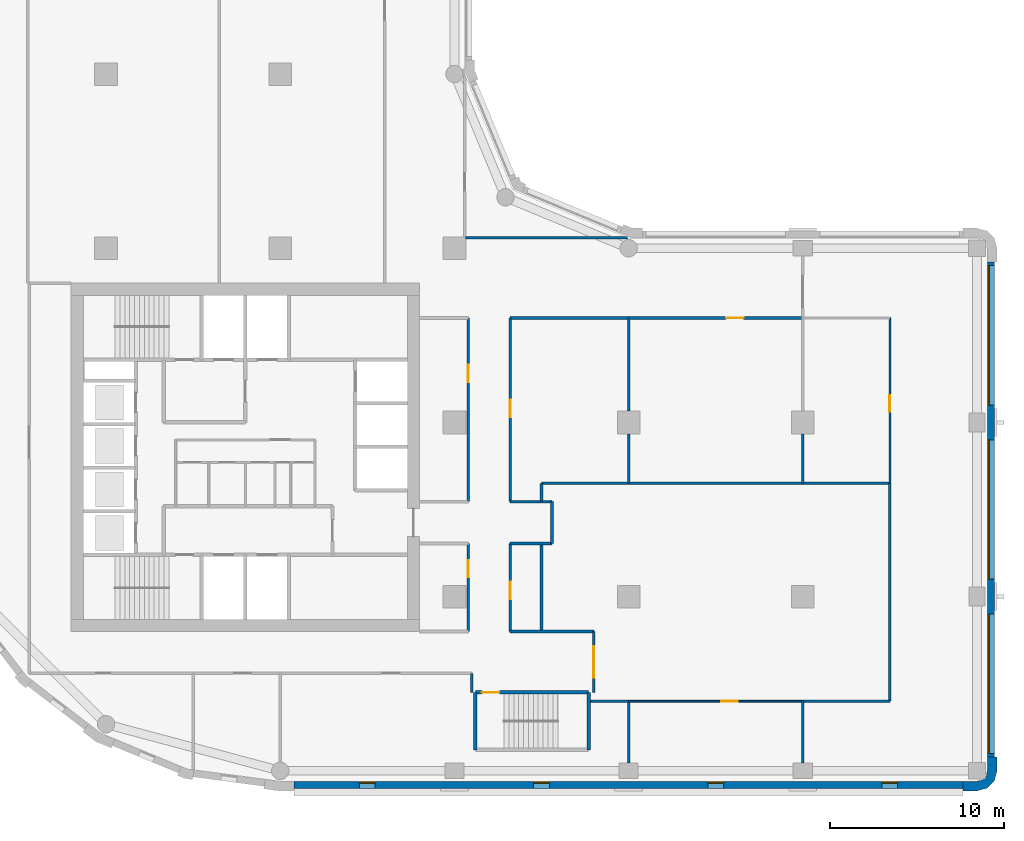
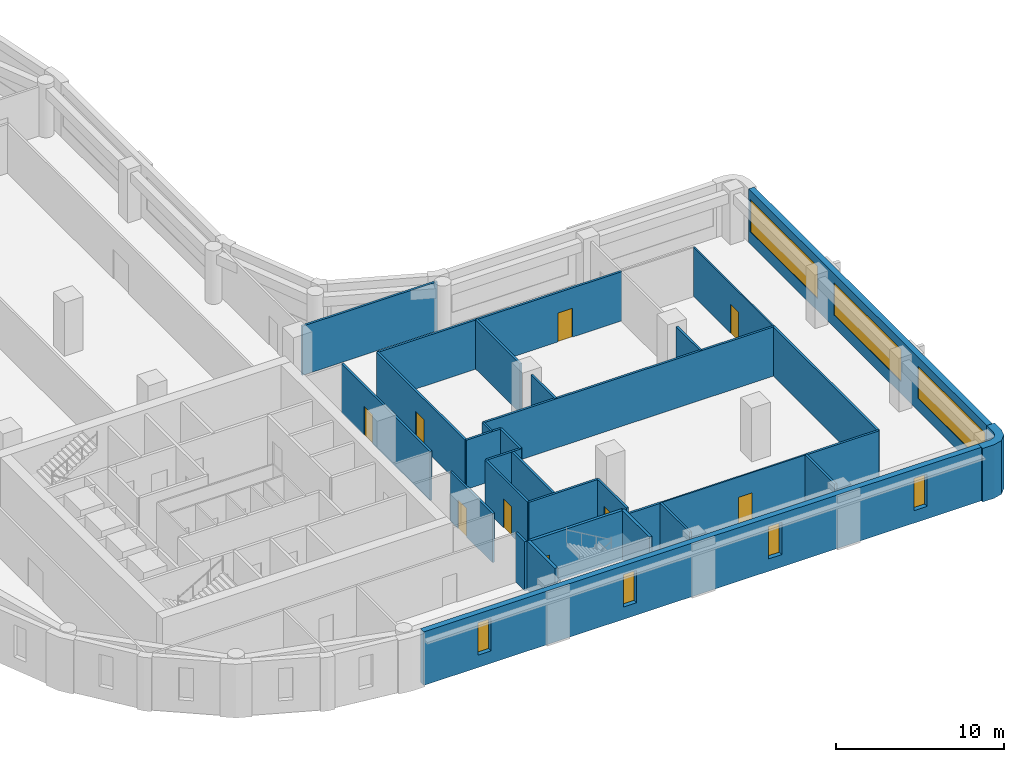
# One storey, part 4 of 9: 31 walls, 9 doors, 7 windows, 16 openings.
"""IFC4 building model written with IfcOpenShell, lengths in metres."""

import ifcopenshell
import ifcopenshell.guid

model = None  # the IFC model being written
_history = None  # IfcOwnerHistory: only IFC2X3 demands one
_inside = {}  # id of a spatial element -> (the spatial element, [elements in it])
_under = {}  # id of a project, library or spatial element -> (it, [spatial elements below it])
_declared = {}  # id of a project -> (the project, [libraries it declares])
_typed = {}  # id of a type object -> (the type object, [elements of that type])
_made_of = {}  # id of a material, layer set ... -> (it, [elements and type objects made of it])


def new_model(schema):
    """Start an empty IFC model of exactly this schema.

    Asked for "IFC4X3", IfcOpenShell would pick the latest addendum, in which some entities
    have other attributes; the version numbers below select the first issue.
    IFC2X3 requires an IfcOwnerHistory on every rooted entity: one is made here for all.
    """
    global model, _history
    if schema == "IFC4X3":
        model = ifcopenshell.file(schema_version=(4, 3, 0, 0))
    else:
        model = ifcopenshell.file(schema=schema)
    _inside.clear()
    _under.clear()
    _declared.clear()
    _typed.clear()
    _made_of.clear()
    _history = None
    if model.schema == "IFC2X3":
        org = make("IfcOrganization", Name="unknown")
        user = make(
            "IfcPersonAndOrganization",
            ThePerson=make("IfcPerson", FamilyName="unknown"),
            TheOrganization=org,
        )
        app = make(
            "IfcApplication",
            ApplicationDeveloper=org,
            Version="unknown",
            ApplicationFullName="unknown",
            ApplicationIdentifier="unknown",
        )
        _history = make(
            "IfcOwnerHistory",
            OwningUser=user,
            OwningApplication=app,
            ChangeAction="ADDED",
            CreationDate=0,
        )
    return model


def make(cls, **values):
    """One entity of the class cls with the attributes given. An attribute that is None is left unset."""
    return model.create_entity(
        cls, **{name: value for name, value in values.items() if value is not None}
    )


def rooted(cls, **values):
    """An entity with a GlobalId (a new one), such as an element, a storey or a relation."""
    return make(cls, GlobalId=ifcopenshell.guid.new(), OwnerHistory=_history, **values)


def si_unit(unit_type, name, prefix=None):
    """IfcSIUnit, for example si_unit("LENGTHUNIT", "METRE", prefix="MILLI")."""
    return make("IfcSIUnit", UnitType=unit_type, Prefix=prefix, Name=name)


def assignment(units):
    """IfcUnitAssignment: the units of a project."""
    return None if units is None else make("IfcUnitAssignment", Units=units)


def point(xyz):
    """IfcCartesianPoint."""
    return None if xyz is None else make("IfcCartesianPoint", Coordinates=xyz)


def direction(xyz):
    """IfcDirection."""
    return None if xyz is None else make("IfcDirection", DirectionRatios=xyz)


def frame(location, z_axis=None, x_axis=None):
    """IfcAxis2Placement3D, a coordinate frame: its origin and axes. An axis left out is left unset."""
    return make(
        "IfcAxis2Placement3D",
        Location=point(location),
        Axis=direction(z_axis),
        RefDirection=direction(x_axis),
    )


def frame_2d(location, x_axis=None):
    """IfcAxis2Placement2D, a coordinate frame in the plane: its origin and x axis."""
    return make(
        "IfcAxis2Placement2D", Location=point(location), RefDirection=direction(x_axis)
    )


def origin():
    """The frame at (0, 0, 0) with its axes left unset."""
    return frame((0.0, 0.0, 0.0))


def place(relative_to, where):
    """IfcLocalPlacement: puts the frame where relative to a parent placement (None: the world)."""
    return make(
        "IfcLocalPlacement", PlacementRelTo=relative_to, RelativePlacement=where
    )


def context(
    kind, dimensions, precision=None, world=None, true_north=None, identifier=None
):
    """IfcGeometricRepresentationContext, for example the 3D "Model" context."""
    return make(
        "IfcGeometricRepresentationContext",
        ContextIdentifier=identifier,
        ContextType=kind,
        CoordinateSpaceDimension=dimensions,
        Precision=precision,
        WorldCoordinateSystem=world,
        TrueNorth=true_north,
    )


def subcontext(parent, identifier, kind, view, scale=None):
    """IfcGeometricRepresentationSubContext, for example "Body" below "Model"."""
    return make(
        "IfcGeometricRepresentationSubContext",
        ContextIdentifier=identifier,
        ContextType=kind,
        ParentContext=parent,
        TargetScale=scale,
        TargetView=view,
    )


def project(units=None, contexts=None):
    """IfcProject with its units and contexts."""
    return rooted(
        "IfcProject",
        Name="project",
        RepresentationContexts=contexts,
        UnitsInContext=assignment(units),
    )


def spatial(cls, under=None, at=None, **own):
    """A site, building, storey or space (cls), placed at a placement, below another one or the project."""
    s = rooted(cls, ObjectPlacement=at, **own)
    if under is not None:
        _under.setdefault(under.id(), (under, []))[1].append(s)
    return s


def polyline(points):
    """IfcPolyline through the points."""
    return make("IfcPolyline", Points=[point(p) for p in points])


def profile(cls, at=None, kind="AREA", **sizes):
    """A parametric profile (cls). Its sizes go by their IFC names, for example OverallWidth=200.0."""
    return make(cls, ProfileType=kind, Position=at, **sizes)


def rectangle(**sizes):
    """IfcRectangleProfileDef."""
    return profile("IfcRectangleProfileDef", **sizes)


def outline(outer, holes=None, kind="AREA"):
    """IfcArbitraryClosedProfileDef: a profile drawn as a closed curve; with holes, ...WithVoids."""
    if holes is None:
        return make("IfcArbitraryClosedProfileDef", ProfileType=kind, OuterCurve=outer)
    return make(
        "IfcArbitraryProfileDefWithVoids",
        ProfileType=kind,
        OuterCurve=outer,
        InnerCurves=holes,
    )


def extrude(swept, where, along, depth):
    """IfcExtrudedAreaSolid: the profile swept, set in the frame where, extruded along a direction by depth."""
    return make(
        "IfcExtrudedAreaSolid",
        SweptArea=swept,
        Position=where,
        ExtrudedDirection=direction(along),
        Depth=depth,
    )


def shape(context_of_items, identifier, shape_type, items):
    """IfcShapeRepresentation: the items that make up one representation, for example the "Body"."""
    return make(
        "IfcShapeRepresentation",
        ContextOfItems=context_of_items,
        RepresentationIdentifier=identifier,
        RepresentationType=shape_type,
        Items=items,
    )


def material(Name=None, Category=None):
    """IfcMaterial."""
    return make("IfcMaterial", Name=Name, Category=Category)


def layer(
    of_material, thickness, ventilated=None, Name=None, Category=None, Priority=None
):
    """IfcMaterialLayer: one layer of a wall or slab, of a material (None: an air gap)."""
    return make(
        "IfcMaterialLayer",
        Material=of_material,
        LayerThickness=thickness,
        IsVentilated=ventilated,
        Name=Name,
        Category=Category,
        Priority=Priority,
    )


def layer_set(layers, Name=None):
    """IfcMaterialLayerSet."""
    return make("IfcMaterialLayerSet", MaterialLayers=layers, LayerSetName=Name)


def made_of(thing, what):
    """Note that an element or type object is made of a material, layer set ...; save() writes the relation."""
    if what is not None:
        _made_of.setdefault(what.id(), (what, []))[1].append(thing)
    return thing


def type_object(cls, material=None, **own):
    """A type object (cls), such as IfcWallType, which elements share."""
    return made_of(rooted(cls, **own), material)


def element(
    cls,
    number,
    at=None,
    inside=None,
    cuts=None,
    type_object=None,
    material=None,
    context=None,
    identifier="Body",
    shape_type=None,
    held_by="IfcProductDefinitionShape",
    body=None,
    shapes=None,
    **own,
):
    """One element of the class cls, such as IfcWall. Its Tag is "e" and its number.

    at: its placement. inside: the storey or other place that contains it. cuts: it is an
    opening in that element (IfcRelVoidsElement). A single representation is given by context,
    identifier, shape_type and body (its items); several are given by shapes. held_by: the class
    of the entity that holds the representations. save() writes the other relations.
    """
    e = rooted(cls, Tag="e%d" % number, ObjectPlacement=at, **own)
    if body is not None:
        shapes = [shape(context, identifier, shape_type, body)]
    if shapes is not None:
        e.Representation = make(held_by, Representations=shapes)
    if inside is not None:
        _inside.setdefault(inside.id(), (inside, []))[1].append(e)
    if cuts is not None:
        rooted(
            "IfcRelVoidsElement", RelatingBuildingElement=cuts, RelatedOpeningElement=e
        )
    if type_object is not None:
        _typed.setdefault(type_object.id(), (type_object, []))[1].append(e)
    return made_of(e, material)


def fill(opening, filler):
    """IfcRelFillsElement: the door or window that sits in an opening."""
    return rooted(
        "IfcRelFillsElement",
        RelatingOpeningElement=opening,
        RelatedBuildingElement=filler,
    )


def aggregate(whole, parts):
    """IfcRelAggregates: a whole, such as a stair, and the parts it consists of."""
    return rooted("IfcRelAggregates", RelatingObject=whole, RelatedObjects=parts)


def save(model, path):
    """Write the relations noted so far, then the file.

    IfcRelAggregates (storeys below a building ...), IfcRelContainedInSpatialStructure (elements
    in a storey), IfcRelDefinesByType, IfcRelAssociatesMaterial and IfcRelDeclares: one each for
    every whole, place, type object, material and project.
    """
    for whole, parts in _under.values():
        aggregate(whole, parts)
    for where, things in _inside.values():
        rooted(
            "IfcRelContainedInSpatialStructure",
            RelatedElements=things,
            RelatingStructure=where,
        )
    for kind, things in _typed.values():
        rooted("IfcRelDefinesByType", RelatedObjects=things, RelatingType=kind)
    for what, things in _made_of.values():
        rooted("IfcRelAssociatesMaterial", RelatedObjects=things, RelatingMaterial=what)
    for by, libraries in _declared.values():
        rooted("IfcRelDeclares", RelatingContext=by, RelatedDefinitions=libraries)
    model.write(path)


model = new_model("IFC4")

# Units and contexts
model_context = context("Model", 3, precision=1e-05, world=origin(), true_north=direction((0.0, 1.0)))
body_context = subcontext(model_context, "Body", "Model", "MODEL_VIEW")
ifc_project = project(units=[si_unit("LENGTHUNIT", "METRE"), si_unit("AREAUNIT", "SQUARE_METRE"), si_unit("VOLUMEUNIT", "CUBIC_METRE"), si_unit("PLANEANGLEUNIT", "RADIAN"), si_unit("MASSUNIT", "GRAM", prefix="KILO")], contexts=[model_context])

# Site, building, storey
site_placement = place(None, origin())
site = spatial("IfcSite", under=ifc_project, at=site_placement, CompositionType="ELEMENT")
building_placement = place(site_placement, origin())
building = spatial("IfcBuilding", under=site, at=building_placement, Name="Qaws Garden Tower", CompositionType="ELEMENT")
storey_placement = place(building_placement, frame((0.0, 0.0, 151.199951171875)))
storey = spatial("IfcBuildingStorey", under=building, at=storey_placement, Name="L36", CompositionType="ELEMENT", Elevation=151.199951171875)

# Wall
ifc_material_1 = material(Name="Clay facing brick masonry", Category="masonry")
ifc_layer_1 = layer(ifc_material_1, 0.550048828125)
ifc_layer_set_1 = layer_set([ifc_layer_1], Name="Clay facing brick masonry")
wall_type_1 = type_object("IfcWallType", Name="Brick corner pier 550 x 2400", PredefinedType="SOLIDWALL", material=ifc_layer_set_1)
wall_1_placement = place(storey_placement, origin())
element("IfcWall", 1, at=wall_1_placement, inside=storey, type_object=wall_type_1, Name="E-L36-pier-04", PredefinedType="SOLIDWALL", context=body_context, shape_type="SweptSolid", body=[
    extrude(outline(polyline([(59.199951171875, -1.0), (59.199951171875, -1.14990234375), (60.0, -1.14990234375), (60.574951171875, -0.995849609375), (60.995849609375, -0.574951171875), (61.14990234375, 0.0), (61.14990234375, 0.800048828125), (61.0, 0.800048828125), (60.60009765625, 0.800048828125), (60.60009765625, 0.0), (60.51953125, -0.300048828125), (60.300048828125, -0.51953125), (60.0, -0.60009765625), (59.199951171875, -0.60009765625), (59.199951171875, -1.0)])), origin(), (0.0, 0.0, 1.0), 3.900146484375),
])

# Wall, openings, windows
ifc_material_2 = material(Name="Clay facing brick masonry", Category="masonry")
ifc_layer_2 = layer(ifc_material_2, 0.39990234375)
ifc_layer_set_2 = layer_set([ifc_layer_2], Name="Clay facing brick masonry")
wall_type_2 = type_object("IfcWallType", Name="Brick infill wall 400", PredefinedType="SOLIDWALL", material=ifc_layer_set_2)
wall_2_placement = place(storey_placement, frame((20.800048828125, -0.800048828125, 0.0), z_axis=(0.0, 0.0, 1.0), x_axis=(1.0, 0.0, 0.0)))
wall_2 = element("IfcWall", 2, at=wall_2_placement, inside=storey, type_object=wall_type_2, Name="E-L36-infill-00", PredefinedType="SOLIDWALL", context=body_context, shape_type="SweptSolid", body=[
    extrude(rectangle(XDim=38.39990234375, YDim=0.39990234375, at=frame_2d((19.199951171875, 0.0))), origin(), (0.0, 0.0, 1.0), 3.900146484375),
])
opening_1_placement = place(wall_2_placement, frame((3.75, 0.0, 0.89990234375)))
opening_1 = element("IfcOpeningElement", 3, at=opening_1_placement, cuts=wall_2, Name="Opening W09", PredefinedType="OPENING", context=body_context, shape_type="SweptSolid", body=[
    extrude(rectangle(XDim=0.89990234375, YDim=2.35009765625, at=frame_2d((0.449951171875, 1.175048828125))), frame((0.0, 0.2099609375, 0.0), z_axis=(0.0, -1.0, 0.0), x_axis=(1.0, 0.0, 0.0)), (0.0, 0.0, 1.0), 0.419921875),
])
opening_2_placement = place(wall_2_placement, frame((13.75, 0.0, 0.89990234375)))
opening_2 = element("IfcOpeningElement", 4, at=opening_2_placement, cuts=wall_2, Name="Opening W09", PredefinedType="OPENING", context=body_context, shape_type="SweptSolid", body=[
    extrude(rectangle(XDim=0.89990234375, YDim=2.35009765625, at=frame_2d((0.449951171875, 1.175048828125))), frame((0.0, 0.2099609375, 0.0), z_axis=(0.0, -1.0, 0.0), x_axis=(1.0, 0.0, 0.0)), (0.0, 0.0, 1.0), 0.419921875),
])
opening_3_placement = place(wall_2_placement, frame((23.75, 0.0, 0.89990234375)))
opening_3 = element("IfcOpeningElement", 5, at=opening_3_placement, cuts=wall_2, Name="Opening W09", PredefinedType="OPENING", context=body_context, shape_type="SweptSolid", body=[
    extrude(rectangle(XDim=0.89990234375, YDim=2.35009765625, at=frame_2d((0.449951171875, 1.175048828125))), frame((0.0, 0.2099609375, 0.0), z_axis=(0.0, -1.0, 0.0), x_axis=(1.0, 0.0, 0.0)), (0.0, 0.0, 1.0), 0.419921875),
])
opening_4_placement = place(wall_2_placement, frame((33.75, 0.0, 0.89990234375)))
opening_4 = element("IfcOpeningElement", 6, at=opening_4_placement, cuts=wall_2, Name="Opening W09", PredefinedType="OPENING", context=body_context, shape_type="SweptSolid", body=[
    extrude(rectangle(XDim=0.89990234375, YDim=2.35009765625, at=frame_2d((0.449951171875, 1.175048828125))), frame((0.0, 0.2099609375, 0.0), z_axis=(0.0, -1.0, 0.0), x_axis=(1.0, 0.0, 0.0)), (0.0, 0.0, 1.0), 0.419921875),
])
ifc_material_3 = material(Name="Aluminium framed window, clear glazing", Category="aluminium")
window_type_1 = type_object("IfcWindowType", Name="Slit window 900 x 2350", PartitioningType="SINGLE_PANEL", PredefinedType="WINDOW", material=ifc_material_3)
window_1_placement = place(opening_1_placement, origin())
window_1 = element("IfcWindow", 7, at=window_1_placement, inside=storey, type_object=window_type_1, Name="E-L36-window-00-0", OverallHeight=2.35009765625, OverallWidth=0.89990234375, PartitioningType="SINGLE_PANEL", PredefinedType="WINDOW", context=body_context, shape_type="SweptSolid", body=[
    extrude(rectangle(XDim=0.89990234375, YDim=2.35009765625, at=frame_2d((0.449951171875, 1.175048828125))), frame((0.0, 0.159912109375, 0.0), z_axis=(0.0, -1.0, 0.0), x_axis=(1.0, 0.0, 0.0)), (0.0, 0.0, 1.0), 0.06005859375),
])
fill(opening_1, window_1)
window_2_placement = place(opening_2_placement, origin())
window_2 = element("IfcWindow", 8, at=window_2_placement, inside=storey, type_object=window_type_1, Name="E-L36-window-01-0", OverallHeight=2.35009765625, OverallWidth=0.89990234375, PartitioningType="SINGLE_PANEL", PredefinedType="WINDOW", context=body_context, shape_type="SweptSolid", body=[
    extrude(rectangle(XDim=0.89990234375, YDim=2.35009765625, at=frame_2d((0.449951171875, 1.175048828125))), frame((0.0, 0.159912109375, 0.0), z_axis=(0.0, -1.0, 0.0), x_axis=(1.0, 0.0, 0.0)), (0.0, 0.0, 1.0), 0.06005859375),
])
fill(opening_2, window_2)
window_3_placement = place(opening_3_placement, origin())
window_3 = element("IfcWindow", 9, at=window_3_placement, inside=storey, type_object=window_type_1, Name="E-L36-window-02-0", OverallHeight=2.35009765625, OverallWidth=0.89990234375, PartitioningType="SINGLE_PANEL", PredefinedType="WINDOW", context=body_context, shape_type="SweptSolid", body=[
    extrude(rectangle(XDim=0.89990234375, YDim=2.35009765625, at=frame_2d((0.449951171875, 1.175048828125))), frame((0.0, 0.159912109375, 0.0), z_axis=(0.0, -1.0, 0.0), x_axis=(1.0, 0.0, 0.0)), (0.0, 0.0, 1.0), 0.06005859375),
])
fill(opening_3, window_3)
window_4_placement = place(opening_4_placement, origin())
window_4 = element("IfcWindow", 10, at=window_4_placement, inside=storey, type_object=window_type_1, Name="E-L36-window-03-0", OverallHeight=2.35009765625, OverallWidth=0.89990234375, PartitioningType="SINGLE_PANEL", PredefinedType="WINDOW", context=body_context, shape_type="SweptSolid", body=[
    extrude(rectangle(XDim=0.89990234375, YDim=2.35009765625, at=frame_2d((0.449951171875, 1.175048828125))), frame((0.0, 0.159912109375, 0.0), z_axis=(0.0, -1.0, 0.0), x_axis=(1.0, 0.0, 0.0)), (0.0, 0.0, 1.0), 0.06005859375),
])
fill(opening_4, window_4)

wall_3_placement = place(storey_placement, frame((60.800048828125, 0.800048828125, 0.0), z_axis=(0.0, 0.0, 1.0), x_axis=(0.0, 1.0, 0.0)))
wall_3 = element("IfcWall", 11, at=wall_3_placement, inside=storey, type_object=wall_type_2, Name="E-L36-infill-04", PredefinedType="SOLIDWALL", context=body_context, shape_type="SweptSolid", body=[
    extrude(rectangle(XDim=28.39990234375, YDim=0.39990234375, at=frame_2d((14.199951171875, 0.0))), origin(), (0.0, 0.0, 1.0), 3.900146484375),
])
opening_5_placement = place(wall_3_placement, frame((0.199951171875, 0.0, 0.89990234375)))
opening_5 = element("IfcOpeningElement", 12, at=opening_5_placement, cuts=wall_3, Name="Opening W01", PredefinedType="OPENING", context=body_context, shape_type="SweptSolid", body=[
    extrude(rectangle(XDim=8.0, YDim=2.35009765625, at=frame_2d((4.0, 1.175048828125))), frame((0.0, 0.2099609375, 0.0), z_axis=(0.0, -1.0, 0.0), x_axis=(1.0, 0.0, 0.0)), (0.0, 0.0, 1.0), 0.419921875),
])
opening_6_placement = place(wall_3_placement, frame((10.199951171875, 0.0, 0.89990234375)))
opening_6 = element("IfcOpeningElement", 13, at=opening_6_placement, cuts=wall_3, Name="Opening W01", PredefinedType="OPENING", context=body_context, shape_type="SweptSolid", body=[
    extrude(rectangle(XDim=8.0, YDim=2.35009765625, at=frame_2d((4.0, 1.175048828125))), frame((0.0, 0.2099609375, 0.0), z_axis=(0.0, -1.0, 0.0), x_axis=(1.0, 0.0, 0.0)), (0.0, 0.0, 1.0), 0.419921875),
])
opening_7_placement = place(wall_3_placement, frame((20.199951171875, 0.0, 0.89990234375)))
opening_7 = element("IfcOpeningElement", 14, at=opening_7_placement, cuts=wall_3, Name="Opening W01", PredefinedType="OPENING", context=body_context, shape_type="SweptSolid", body=[
    extrude(rectangle(XDim=8.0, YDim=2.35009765625, at=frame_2d((4.0, 1.175048828125))), frame((0.0, 0.2099609375, 0.0), z_axis=(0.0, -1.0, 0.0), x_axis=(1.0, 0.0, 0.0)), (0.0, 0.0, 1.0), 0.419921875),
])
ifc_material_4 = material(Name="Aluminium framed window, clear glazing", Category="aluminium")
window_type_2 = type_object("IfcWindowType", Name="Ribbon window 8000 x 2350", PartitioningType="DOUBLE_PANEL_VERTICAL", PredefinedType="WINDOW", material=ifc_material_4)
window_5_placement = place(opening_5_placement, origin())
window_5 = element("IfcWindow", 15, at=window_5_placement, inside=storey, type_object=window_type_2, Name="E-L36-window-04-0", OverallHeight=2.35009765625, OverallWidth=8.0, PartitioningType="SINGLE_PANEL", PredefinedType="WINDOW", context=body_context, shape_type="SweptSolid", body=[
    extrude(rectangle(XDim=8.0, YDim=2.35009765625, at=frame_2d((4.0, 1.175048828125))), frame((0.0, 0.159912109375, 0.0), z_axis=(0.0, -1.0, 0.0), x_axis=(1.0, 0.0, 0.0)), (0.0, 0.0, 1.0), 0.06005859375),
])
fill(opening_5, window_5)
window_6_placement = place(opening_6_placement, origin())
window_6 = element("IfcWindow", 16, at=window_6_placement, inside=storey, type_object=window_type_2, Name="E-L36-window-05-0", OverallHeight=2.35009765625, OverallWidth=8.0, PartitioningType="SINGLE_PANEL", PredefinedType="WINDOW", context=body_context, shape_type="SweptSolid", body=[
    extrude(rectangle(XDim=8.0, YDim=2.35009765625, at=frame_2d((4.0, 1.175048828125))), frame((0.0, 0.159912109375, 0.0), z_axis=(0.0, -1.0, 0.0), x_axis=(1.0, 0.0, 0.0)), (0.0, 0.0, 1.0), 0.06005859375),
])
fill(opening_6, window_6)
window_7_placement = place(opening_7_placement, origin())
window_7 = element("IfcWindow", 17, at=window_7_placement, inside=storey, type_object=window_type_2, Name="E-L36-window-06-0", OverallHeight=2.35009765625, OverallWidth=8.0, PartitioningType="SINGLE_PANEL", PredefinedType="WINDOW", context=body_context, shape_type="SweptSolid", body=[
    extrude(rectangle(XDim=8.0, YDim=2.35009765625, at=frame_2d((4.0, 1.175048828125))), frame((0.0, 0.159912109375, 0.0), z_axis=(0.0, -1.0, 0.0), x_axis=(1.0, 0.0, 0.0)), (0.0, 0.0, 1.0), 0.06005859375),
])
fill(opening_7, window_7)

# Wall, opening, door
ifc_material_5 = material(Name="Concrete C70", Category="concrete")
ifc_layer_3 = layer(ifc_material_5, 0.199951171875)
ifc_layer_set_3 = layer_set([ifc_layer_3], Name="Concrete C70")
wall_type_3 = type_object("IfcWallType", Name="Core shaft wall 200 C70", PredefinedType="SHEAR", material=ifc_layer_set_3)
wall_4_placement = place(storey_placement, frame((31.199951171875, 4.5, 0.0), z_axis=(0.0, 0.0, 1.0), x_axis=(1.0, 0.0, 0.0)))
wall_4 = element("IfcWall", 18, at=wall_4_placement, inside=storey, type_object=wall_type_3, Name="Shaft wall", PredefinedType="SHEAR", context=body_context, shape_type="SweptSolid", body=[
    extrude(rectangle(XDim=6.5, YDim=0.199951171875, at=frame_2d((3.25, 0.0))), origin(), (0.0, 0.0, 1.0), 3.580078125),
])
opening_8_placement = place(wall_4_placement, frame((0.375, 0.0, 0.0)))
opening_8 = element("IfcOpeningElement", 19, at=opening_8_placement, cuts=wall_4, Name="Opening SD12", PredefinedType="OPENING", context=body_context, shape_type="SweptSolid", body=[
    extrude(rectangle(XDim=1.0, YDim=2.10009765625, at=frame_2d((0.5, 1.050048828125))), frame((0.0, 0.10986328125, 0.0), z_axis=(0.0, -1.0, 0.0), x_axis=(1.0, 0.0, 0.0)), (0.0, 0.0, 1.0), 0.219970703125),
])
ifc_material_6 = material(Name="Steel S235", Category="steel")
door_type_1 = type_object("IfcDoorType", Name="Stair door 1000x2100", OperationType="SINGLE_SWING_RIGHT", PredefinedType="DOOR", material=ifc_material_6)
door_1_placement = place(opening_8_placement, frame((1.0, 0.0, 0.0), z_axis=(0.0, 0.0, 1.0), x_axis=(-1.0, 0.0, 0.0)))
door_1 = element("IfcDoor", 20, at=door_1_placement, inside=storey, type_object=door_type_1, Name="Stair 5 door", OperationType="SINGLE_SWING_RIGHT", OverallHeight=2.10009765625, OverallWidth=1.0, PredefinedType="DOOR", context=body_context, shape_type="SweptSolid", body=[
    extrude(rectangle(XDim=1.0, YDim=2.10009765625, at=frame_2d((0.5, 1.050048828125))), frame((0.0, 0.02490234375, 0.0), z_axis=(0.0, -1.0, 0.0), x_axis=(1.0, 0.0, 0.0)), (0.0, 0.0, 1.0), 0.050048828125),
])
fill(opening_8, door_1)

# Walls
for number, where, z_axis, x_axis, name in (
    (21, (31.199951171875, 1.199951171875, 0.0), (0.0, 0.0, 1.0), (0.0, 1.0, 0.0), "Shaft wall"),
    (22, (37.699951171875, 1.199951171875, 0.0), (0.0, 0.0, 1.0), (0.0, 1.0, 0.0), "Shaft wall"),
):
    element("IfcWall", number, at=place(storey_placement, frame(where, z_axis=z_axis, x_axis=x_axis)), inside=storey, type_object=wall_type_3, Name=name, PredefinedType="SHEAR", context=body_context, shape_type="SweptSolid", body=[
        extrude(rectangle(XDim=3.300048828125, YDim=0.199951171875, at=frame_2d((1.64990234375, 0.0))), origin(), (0.0, 0.0, 1.0), 3.580078125),
    ])

# Wall, opening, door
ifc_material_7 = material(Name="Gypsum board partition")
ifc_layer_4 = layer(ifc_material_7, 0.10009765625)
ifc_layer_set_4 = layer_set([ifc_layer_4], Name="Gypsum board partition")
wall_type_4 = type_object("IfcWallType", Name="PARTITION 100", PredefinedType="PARTITIONING", material=ifc_layer_set_4)
wall_5_placement = place(storey_placement, frame((55.0, 16.5, 0.0), z_axis=(0.0, 0.0, 1.0), x_axis=(0.0, 1.0, 0.0)))
wall_5 = element("IfcWall", 23, at=wall_5_placement, inside=storey, type_object=wall_type_4, Name="O-L36-wall-001", PredefinedType="PARTITIONING", context=body_context, shape_type="SweptSolid", body=[
    extrude(rectangle(XDim=9.5, YDim=0.10009765625, at=frame_2d((4.75, 0.0))), origin(), (0.0, 0.0, 1.0), 3.580078125),
])
opening_9_placement = place(wall_5_placement, frame((4.125, 0.0, 0.0)))
opening_9 = element("IfcOpeningElement", 24, at=opening_9_placement, cuts=wall_5, Name="Opening B219", PredefinedType="OPENING", context=body_context, shape_type="SweptSolid", body=[
    extrude(rectangle(XDim=0.949951171875, YDim=2.10009765625, at=frame_2d((0.47509765625, 1.050048828125))), frame((0.0, 0.06005859375, 0.0), z_axis=(0.0, -1.0, 0.0), x_axis=(1.0, 0.0, 0.0)), (0.0, 0.0, 1.0), 0.1201171875),
])
ifc_material_8 = material(Name="Timber and glass door leaf", Category="wood")
door_type_2 = type_object("IfcDoorType", Name="GLAZED DOOR 950 X 2100", OperationType="SINGLE_SWING_LEFT", PredefinedType="DOOR", material=ifc_material_8)
door_2_placement = place(opening_9_placement, origin())
door_2 = element("IfcDoor", 25, at=door_2_placement, inside=storey, type_object=door_type_2, Name="O-L36-door-019", OperationType="SINGLE_SWING_RIGHT", OverallHeight=2.10009765625, OverallWidth=0.949951171875, PredefinedType="DOOR", context=body_context, shape_type="SweptSolid", body=[
    extrude(rectangle(XDim=0.949951171875, YDim=2.10009765625, at=frame_2d((0.47509765625, 1.050048828125))), frame((0.0, 0.02490234375, 0.0), z_axis=(0.0, -1.0, 0.0), x_axis=(1.0, 0.0, 0.0)), (0.0, 0.0, 1.0), 0.050048828125),
])
fill(opening_9, door_2)

wall_6_placement = place(storey_placement, frame((40.0, 4.0, 0.0), z_axis=(0.0, 0.0, 1.0), x_axis=(1.0, 0.0, 0.0)))
wall_6 = element("IfcWall", 26, at=wall_6_placement, inside=storey, type_object=wall_type_4, Name="O-L36-wall-002", PredefinedType="PARTITIONING", context=body_context, shape_type="SweptSolid", body=[
    extrude(rectangle(XDim=10.0, YDim=0.10009765625, at=frame_2d((5.0, 0.0))), origin(), (0.0, 0.0, 1.0), 3.580078125),
])
opening_10_placement = place(wall_6_placement, frame((5.324951171875, 0.0, 0.0)))
opening_10 = element("IfcOpeningElement", 27, at=opening_10_placement, cuts=wall_6, Name="Opening B218", PredefinedType="OPENING", context=body_context, shape_type="SweptSolid", body=[
    extrude(rectangle(XDim=0.949951171875, YDim=2.10009765625, at=frame_2d((0.47509765625, 1.050048828125))), frame((0.0, 0.06005859375, 0.0), z_axis=(0.0, -1.0, 0.0), x_axis=(1.0, 0.0, 0.0)), (0.0, 0.0, 1.0), 0.1201171875),
])
door_3_placement = place(opening_10_placement, frame((0.949951171875, 0.0, 0.0), z_axis=(0.0, 0.0, 1.0), x_axis=(-1.0, 0.0, 0.0)))
door_3 = element("IfcDoor", 28, at=door_3_placement, inside=storey, type_object=door_type_2, Name="O-L36-door-018", OperationType="SINGLE_SWING_RIGHT", OverallHeight=2.10009765625, OverallWidth=0.949951171875, PredefinedType="DOOR", context=body_context, shape_type="SweptSolid", body=[
    extrude(rectangle(XDim=0.949951171875, YDim=2.10009765625, at=frame_2d((0.47509765625, 1.050048828125))), frame((0.0, 0.02490234375, 0.0), z_axis=(0.0, -1.0, 0.0), x_axis=(1.0, 0.0, 0.0)), (0.0, 0.0, 1.0), 0.050048828125),
])
fill(opening_10, door_3)

ifc_material_9 = material(Name="Gypsum board partition")
ifc_layer_5 = layer(ifc_material_9, 0.14990234375)
ifc_layer_set_5 = layer_set([ifc_layer_5], Name="Gypsum board partition")
wall_type_5 = type_object("IfcWallType", Name="PARTITION 150 EI 60", PredefinedType="PARTITIONING", material=ifc_layer_set_5)
wall_7_placement = place(storey_placement, frame((30.800048828125, 8.0, 0.0), z_axis=(0.0, 0.0, 1.0), x_axis=(0.0, 1.0, 0.0)))
wall_7 = element("IfcWall", 29, at=wall_7_placement, inside=storey, type_object=wall_type_5, Name="O-L36-wall-015", PredefinedType="PARTITIONING", context=body_context, shape_type="SweptSolid", body=[
    extrude(rectangle(XDim=5.050048828125, YDim=0.14990234375, at=frame_2d((2.52490234375, 0.0))), origin(), (0.0, 0.0, 1.0), 3.580078125),
])
opening_11_placement = place(wall_7_placement, frame((3.10009765625, 0.0, 0.0)))
opening_11 = element("IfcOpeningElement", 30, at=opening_11_placement, cuts=wall_7, Name="Opening B216", PredefinedType="OPENING", context=body_context, shape_type="SweptSolid", body=[
    extrude(rectangle(XDim=1.0, YDim=2.10009765625, at=frame_2d((0.5, 1.050048828125))), frame((0.0, 0.0849609375, 0.0), z_axis=(0.0, -1.0, 0.0), x_axis=(1.0, 0.0, 0.0)), (0.0, 0.0, 1.0), 0.169921875),
])
ifc_material_10 = material(Name="Timber door leaf", Category="wood")
door_type_3 = type_object("IfcDoorType", Name="TENANCY ENTRANCE DOOR 1000 X 2100", OperationType="SINGLE_SWING_LEFT", PredefinedType="DOOR", material=ifc_material_10)
door_4_placement = place(opening_11_placement, origin())
door_4 = element("IfcDoor", 31, at=door_4_placement, inside=storey, type_object=door_type_3, Name="O-L36-door-016", OperationType="SINGLE_SWING_RIGHT", OverallHeight=2.10009765625, OverallWidth=1.0, PredefinedType="DOOR", context=body_context, shape_type="SweptSolid", body=[
    extrude(rectangle(XDim=1.0, YDim=2.10009765625, at=frame_2d((0.5, 1.050048828125))), frame((0.0, 0.02490234375, 0.0), z_axis=(0.0, -1.0, 0.0), x_axis=(1.0, 0.0, 0.0)), (0.0, 0.0, 1.0), 0.050048828125),
])
fill(opening_11, door_4)

wall_8_placement = place(storey_placement, frame((30.800048828125, 15.450927734375, 0.0), z_axis=(0.0, 0.0, 1.0), x_axis=(0.0, 1.0, 0.0)))
wall_8 = element("IfcWall", 32, at=wall_8_placement, inside=storey, type_object=wall_type_5, Name="O-L36-wall-016", PredefinedType="PARTITIONING", context=body_context, shape_type="SweptSolid", body=[
    extrude(rectangle(XDim=10.548095703125, YDim=0.14990234375, at=frame_2d((5.27392578125, 0.0))), origin(), (0.0, 0.0, 1.0), 3.580078125),
])
opening_12_placement = place(wall_8_placement, frame((6.85009765625, 0.0, 0.0)))
opening_12 = element("IfcOpeningElement", 33, at=opening_12_placement, cuts=wall_8, Name="Opening B212", PredefinedType="OPENING", context=body_context, shape_type="SweptSolid", body=[
    extrude(rectangle(XDim=1.0, YDim=2.10009765625, at=frame_2d((0.5, 1.050048828125))), frame((0.0, 0.0849609375, 0.0), z_axis=(0.0, -1.0, 0.0), x_axis=(1.0, 0.0, 0.0)), (0.0, 0.0, 1.0), 0.169921875),
])
door_5_placement = place(opening_12_placement, origin())
door_5 = element("IfcDoor", 34, at=door_5_placement, inside=storey, type_object=door_type_3, Name="O-L36-door-012", OperationType="SINGLE_SWING_RIGHT", OverallHeight=2.10009765625, OverallWidth=1.0, PredefinedType="DOOR", context=body_context, shape_type="SweptSolid", body=[
    extrude(rectangle(XDim=1.0, YDim=2.10009765625, at=frame_2d((0.5, 1.050048828125))), frame((0.0, 0.02490234375, 0.0), z_axis=(0.0, -1.0, 0.0), x_axis=(1.0, 0.0, 0.0)), (0.0, 0.0, 1.0), 0.050048828125),
])
fill(opening_12, door_5)

# Wall
wall_9_placement = place(storey_placement, frame((31.0, 4.5009765625, 0.0), z_axis=(0.0, 0.0, 1.0), x_axis=(0.0, 1.0, 0.0)))
element("IfcWall", 35, at=wall_9_placement, inside=storey, type_object=wall_type_5, Name="O-L36-wall-017", PredefinedType="PARTITIONING", context=body_context, shape_type="SweptSolid", body=[
    extrude(rectangle(XDim=1.09912109375, YDim=0.14990234375, at=frame_2d((0.549560546875, 0.0))), origin(), (0.0, 0.0, 1.0), 3.580078125),
])

# Wall, opening, door
wall_10_placement = place(storey_placement, frame((33.199951171875, 8.0, 0.0), z_axis=(0.0, 0.0, 1.0), x_axis=(0.0, 1.0, 0.0)))
wall_10 = element("IfcWall", 36, at=wall_10_placement, inside=storey, type_object=wall_type_5, Name="O-L36-wall-018", PredefinedType="PARTITIONING", context=body_context, shape_type="SweptSolid", body=[
    extrude(rectangle(XDim=5.050048828125, YDim=0.14990234375, at=frame_2d((2.52490234375, 0.0))), origin(), (0.0, 0.0, 1.0), 3.580078125),
])
opening_13_placement = place(wall_10_placement, frame((1.85009765625, 0.0, 0.0)))
opening_13 = element("IfcOpeningElement", 37, at=opening_13_placement, cuts=wall_10, Name="Opening B215", PredefinedType="OPENING", context=body_context, shape_type="SweptSolid", body=[
    extrude(rectangle(XDim=1.0, YDim=2.10009765625, at=frame_2d((0.5, 1.050048828125))), frame((0.0, 0.0849609375, 0.0), z_axis=(0.0, -1.0, 0.0), x_axis=(1.0, 0.0, 0.0)), (0.0, 0.0, 1.0), 0.169921875),
])
door_6_placement = place(opening_13_placement, frame((1.0, 0.0, 0.0), z_axis=(0.0, 0.0, 1.0), x_axis=(-1.0, 0.0, 0.0)))
door_6 = element("IfcDoor", 38, at=door_6_placement, inside=storey, type_object=door_type_3, Name="O-L36-door-015", OperationType="SINGLE_SWING_LEFT", OverallHeight=2.10009765625, OverallWidth=1.0, PredefinedType="DOOR", context=body_context, shape_type="SweptSolid", body=[
    extrude(rectangle(XDim=1.0, YDim=2.10009765625, at=frame_2d((0.5, 1.050048828125))), frame((0.0, 0.02490234375, 0.0), z_axis=(0.0, -1.0, 0.0), x_axis=(1.0, 0.0, 0.0)), (0.0, 0.0, 1.0), 0.050048828125),
])
fill(opening_13, door_6)

wall_11_placement = place(storey_placement, frame((33.199951171875, 15.450927734375, 0.0), z_axis=(0.0, 0.0, 1.0), x_axis=(0.0, 1.0, 0.0)))
wall_11 = element("IfcWall", 39, at=wall_11_placement, inside=storey, type_object=wall_type_5, Name="O-L36-wall-019", PredefinedType="PARTITIONING", context=body_context, shape_type="SweptSolid", body=[
    extrude(rectangle(XDim=10.548095703125, YDim=0.14990234375, at=frame_2d((5.27392578125, 0.0))), origin(), (0.0, 0.0, 1.0), 3.580078125),
])
opening_14_placement = place(wall_11_placement, frame((4.85009765625, 0.0, 0.0)))
opening_14 = element("IfcOpeningElement", 40, at=opening_14_placement, cuts=wall_11, Name="Opening B213", PredefinedType="OPENING", context=body_context, shape_type="SweptSolid", body=[
    extrude(rectangle(XDim=1.0, YDim=2.10009765625, at=frame_2d((0.5, 1.050048828125))), frame((0.0, 0.0849609375, 0.0), z_axis=(0.0, -1.0, 0.0), x_axis=(1.0, 0.0, 0.0)), (0.0, 0.0, 1.0), 0.169921875),
])
door_7_placement = place(opening_14_placement, frame((1.0, 0.0, 0.0), z_axis=(0.0, 0.0, 1.0), x_axis=(-1.0, 0.0, 0.0)))
door_7 = element("IfcDoor", 41, at=door_7_placement, inside=storey, type_object=door_type_3, Name="O-L36-door-013", OperationType="SINGLE_SWING_LEFT", OverallHeight=2.10009765625, OverallWidth=1.0, PredefinedType="DOOR", context=body_context, shape_type="SweptSolid", body=[
    extrude(rectangle(XDim=1.0, YDim=2.10009765625, at=frame_2d((0.5, 1.050048828125))), frame((0.0, 0.02490234375, 0.0), z_axis=(0.0, -1.0, 0.0), x_axis=(1.0, 0.0, 0.0)), (0.0, 0.0, 1.0), 0.050048828125),
])
fill(opening_14, door_7)

# Walls
wall_12_placement = place(storey_placement, frame((35.0, 8.0, 0.0), z_axis=(0.0, 0.0, 1.0), x_axis=(0.0, 1.0, 0.0)))
element("IfcWall", 42, at=wall_12_placement, inside=storey, type_object=wall_type_5, Name="O-L36-wall-020", PredefinedType="PARTITIONING", context=body_context, shape_type="SweptSolid", body=[
    extrude(rectangle(XDim=5.050048828125, YDim=0.14990234375, at=frame_2d((2.52490234375, 0.0))), origin(), (0.0, 0.0, 1.0), 3.580078125),
])
wall_13_placement = place(storey_placement, frame((35.0, 15.450927734375, 0.0), z_axis=(0.0, 0.0, 1.0), x_axis=(0.0, 1.0, 0.0)))
element("IfcWall", 43, at=wall_13_placement, inside=storey, type_object=wall_type_5, Name="O-L36-wall-021", PredefinedType="PARTITIONING", context=body_context, shape_type="SweptSolid", body=[
    extrude(rectangle(XDim=1.047119140625, YDim=0.14990234375, at=frame_2d((0.5234375, 0.0))), origin(), (0.0, 0.0, 1.0), 3.580078125),
])
wall_14_placement = place(storey_placement, frame((35.60009765625, 13.050048828125, 0.0), z_axis=(0.0, 0.0, 1.0), x_axis=(0.0, 1.0, 0.0)))
element("IfcWall", 44, at=wall_14_placement, inside=storey, type_object=wall_type_5, Name="O-L36-wall-022", PredefinedType="PARTITIONING", context=body_context, shape_type="SweptSolid", body=[
    extrude(rectangle(XDim=2.39990234375, YDim=0.14990234375, at=frame_2d((1.199951171875, 0.0))), origin(), (0.0, 0.0, 1.0), 3.580078125),
])

# Wall, opening, door
wall_15_placement = place(storey_placement, frame((38.0, 4.5, 0.0), z_axis=(0.0, 0.0, 1.0), x_axis=(0.0, 1.0, 0.0)))
wall_15 = element("IfcWall", 45, at=wall_15_placement, inside=storey, type_object=wall_type_5, Name="O-L36-wall-023", PredefinedType="PARTITIONING", context=body_context, shape_type="SweptSolid", body=[
    extrude(rectangle(XDim=3.5, YDim=0.14990234375, at=frame_2d((1.75, 0.0))), origin(), (0.0, 0.0, 1.0), 3.580078125),
])
opening_15_placement = place(wall_15_placement, frame((0.85009765625, 0.0, 0.0)))
opening_15 = element("IfcOpeningElement", 46, at=opening_15_placement, cuts=wall_15, Name="Opening B217", PredefinedType="OPENING", context=body_context, shape_type="SweptSolid", body=[
    extrude(rectangle(XDim=1.800048828125, YDim=2.10009765625, at=frame_2d((0.89990234375, 1.050048828125))), frame((0.0, 0.0849609375, 0.0), z_axis=(0.0, -1.0, 0.0), x_axis=(1.0, 0.0, 0.0)), (0.0, 0.0, 1.0), 0.169921875),
])
ifc_material_11 = material(Name="Timber door leaf", Category="wood")
door_type_4 = type_object("IfcDoorType", Name="DOUBLE DOOR 1800 X 2100", OperationType="DOUBLE_DOOR_SINGLE_SWING", PredefinedType="DOOR", material=ifc_material_11)
door_8_placement = place(opening_15_placement, frame((1.800048828125, 0.0, 0.0), z_axis=(0.0, 0.0, 1.0), x_axis=(-1.0, 0.0, 0.0)))
door_8 = element("IfcDoor", 47, at=door_8_placement, inside=storey, type_object=door_type_4, Name="O-L36-door-017", OperationType="DOUBLE_DOOR_SINGLE_SWING", OverallHeight=2.10009765625, OverallWidth=1.800048828125, PredefinedType="DOOR", context=body_context, shape_type="SweptSolid", body=[
    extrude(rectangle(XDim=1.800048828125, YDim=2.10009765625, at=frame_2d((0.89990234375, 1.050048828125))), frame((0.0, 0.02490234375, 0.0), z_axis=(0.0, -1.0, 0.0), x_axis=(1.0, 0.0, 0.0)), (0.0, 0.0, 1.0), 0.050048828125),
])
fill(opening_15, door_8)

# Walls
wall_16_placement = place(storey_placement, frame((40.0, 0.449951171875, 0.0), z_axis=(0.0, 0.0, 1.0), x_axis=(0.0, 1.0, 0.0)))
element("IfcWall", 48, at=wall_16_placement, inside=storey, type_object=wall_type_5, Name="O-L36-wall-024", PredefinedType="PARTITIONING", context=body_context, shape_type="SweptSolid", body=[
    extrude(rectangle(XDim=3.550048828125, YDim=0.14990234375, at=frame_2d((1.77490234375, 0.0))), origin(), (0.0, 0.0, 1.0), 3.580078125),
])
wall_17_placement = place(storey_placement, frame((40.0, 16.5009765625, 0.0), z_axis=(0.0, 0.0, 1.0), x_axis=(0.0, 1.0, 0.0)))
element("IfcWall", 49, at=wall_17_placement, inside=storey, type_object=wall_type_5, Name="O-L36-wall-025", PredefinedType="PARTITIONING", context=body_context, shape_type="SweptSolid", body=[
    extrude(rectangle(XDim=2.84912109375, YDim=0.14990234375, at=frame_2d((1.424560546875, 0.0))), origin(), (0.0, 0.0, 1.0), 3.580078125),
])
wall_18_placement = place(storey_placement, frame((40.0, 20.64990234375, 0.0), z_axis=(0.0, 0.0, 1.0), x_axis=(0.0, 1.0, 0.0)))
element("IfcWall", 50, at=wall_18_placement, inside=storey, type_object=wall_type_5, Name="O-L36-wall-026", PredefinedType="PARTITIONING", context=body_context, shape_type="SweptSolid", body=[
    extrude(rectangle(XDim=5.34912109375, YDim=0.14990234375, at=frame_2d((2.674560546875, 0.0))), origin(), (0.0, 0.0, 1.0), 3.580078125),
])
wall_19_placement = place(storey_placement, frame((50.0, 0.449951171875, 0.0), z_axis=(0.0, 0.0, 1.0), x_axis=(0.0, 1.0, 0.0)))
element("IfcWall", 51, at=wall_19_placement, inside=storey, type_object=wall_type_5, Name="O-L36-wall-027", PredefinedType="PARTITIONING", context=body_context, shape_type="SweptSolid", body=[
    extrude(rectangle(XDim=3.550048828125, YDim=0.14990234375, at=frame_2d((1.77490234375, 0.0))), origin(), (0.0, 0.0, 1.0), 3.580078125),
])
wall_20_placement = place(storey_placement, frame((50.0, 16.5, 0.0), z_axis=(0.0, 0.0, 1.0), x_axis=(0.0, 1.0, 0.0)))
element("IfcWall", 52, at=wall_20_placement, inside=storey, type_object=wall_type_5, Name="O-L36-wall-028", PredefinedType="PARTITIONING", context=body_context, shape_type="SweptSolid", body=[
    extrude(rectangle(XDim=2.85009765625, YDim=0.14990234375, at=frame_2d((1.425048828125, 0.0))), origin(), (0.0, 0.0, 1.0), 3.580078125),
])
wall_21_placement = place(storey_placement, frame((55.0, 4.0, 0.0), z_axis=(0.0, 0.0, 1.0), x_axis=(0.0, 1.0, 0.0)))
element("IfcWall", 53, at=wall_21_placement, inside=storey, type_object=wall_type_5, Name="O-L36-wall-030", PredefinedType="PARTITIONING", context=body_context, shape_type="SweptSolid", body=[
    extrude(rectangle(XDim=12.5, YDim=0.14990234375, at=frame_2d((6.25, 0.0))), origin(), (0.0, 0.0, 1.0), 3.580078125),
])
wall_22_placement = place(storey_placement, frame((37.800048828125, 4.0, 0.0), z_axis=(0.0, 0.0, 1.0), x_axis=(1.0, 0.0, 0.0)))
element("IfcWall", 54, at=wall_22_placement, inside=storey, type_object=wall_type_5, Name="O-L36-wall-031", PredefinedType="PARTITIONING", context=body_context, shape_type="SweptSolid", body=[
    extrude(rectangle(XDim=2.199951171875, YDim=0.14990234375, at=frame_2d((1.10009765625, 0.0))), origin(), (0.0, 0.0, 1.0), 3.580078125),
])
wall_23_placement = place(storey_placement, frame((50.0, 4.0, 0.0), z_axis=(0.0, 0.0, 1.0), x_axis=(1.0, 0.0, 0.0)))
element("IfcWall", 55, at=wall_23_placement, inside=storey, type_object=wall_type_5, Name="O-L36-wall-032", PredefinedType="PARTITIONING", context=body_context, shape_type="SweptSolid", body=[
    extrude(rectangle(XDim=5.0, YDim=0.14990234375, at=frame_2d((2.5, 0.0))), origin(), (0.0, 0.0, 1.0), 3.580078125),
])
wall_24_placement = place(storey_placement, frame((33.199951171875, 8.0, 0.0), z_axis=(0.0, 0.0, 1.0), x_axis=(1.0, 0.0, 0.0)))
element("IfcWall", 56, at=wall_24_placement, inside=storey, type_object=wall_type_5, Name="O-L36-wall-035", PredefinedType="PARTITIONING", context=body_context, shape_type="SweptSolid", body=[
    extrude(rectangle(XDim=4.800048828125, YDim=0.14990234375, at=frame_2d((2.39990234375, 0.0))), origin(), (0.0, 0.0, 1.0), 3.580078125),
])
wall_25_placement = place(storey_placement, frame((33.199951171875, 13.050048828125, 0.0), z_axis=(0.0, 0.0, 1.0), x_axis=(1.0, 0.0, 0.0)))
element("IfcWall", 57, at=wall_25_placement, inside=storey, type_object=wall_type_5, Name="O-L36-wall-037", PredefinedType="PARTITIONING", context=body_context, shape_type="SweptSolid", body=[
    extrude(rectangle(XDim=2.400146484375, YDim=0.14990234375, at=frame_2d((1.2001953125, 0.0))), origin(), (0.0, 0.0, 1.0), 3.580078125),
])
wall_26_placement = place(storey_placement, frame((33.200927734375, 15.449951171875, 0.0), z_axis=(0.0, 0.0, 1.0), x_axis=(1.0, 0.0, 0.0)))
element("IfcWall", 58, at=wall_26_placement, inside=storey, type_object=wall_type_5, Name="O-L36-wall-039", PredefinedType="PARTITIONING", context=body_context, shape_type="SweptSolid", body=[
    extrude(rectangle(XDim=2.399169921875, YDim=0.14990234375, at=frame_2d((1.19970703125, 0.0))), origin(), (0.0, 0.0, 1.0), 3.580078125),
])
wall_27_placement = place(storey_placement, frame((35.001953125, 16.5, 0.0), z_axis=(0.0, 0.0, 1.0), x_axis=(1.0, 0.0, 0.0)))
element("IfcWall", 59, at=wall_27_placement, inside=storey, type_object=wall_type_5, Name="O-L36-wall-040", PredefinedType="PARTITIONING", context=body_context, shape_type="SweptSolid", body=[
    extrude(rectangle(XDim=19.998046875, YDim=0.14990234375, at=frame_2d((9.9990234375, 0.0))), origin(), (0.0, 0.0, 1.0), 3.580078125),
])

# Wall, opening, door
wall_28_placement = place(storey_placement, frame((33.200927734375, 26.0, 0.0), z_axis=(0.0, 0.0, 1.0), x_axis=(1.0, 0.0, 0.0)))
wall_28 = element("IfcWall", 60, at=wall_28_placement, inside=storey, type_object=wall_type_5, Name="O-L36-wall-042", PredefinedType="PARTITIONING", context=body_context, shape_type="SweptSolid", body=[
    extrude(rectangle(XDim=16.799072265625, YDim=0.14990234375, at=frame_2d((8.3994140625, 0.0))), origin(), (0.0, 0.0, 1.0), 3.580078125),
])
opening_16_placement = place(wall_28_placement, frame((12.39794921875, 0.0, 0.0)))
opening_16 = element("IfcOpeningElement", 61, at=opening_16_placement, cuts=wall_28, Name="Opening B214", PredefinedType="OPENING", context=body_context, shape_type="SweptSolid", body=[
    extrude(rectangle(XDim=1.0, YDim=2.10009765625, at=frame_2d((0.5, 1.050048828125))), frame((0.0, 0.0849609375, 0.0), z_axis=(0.0, -1.0, 0.0), x_axis=(1.0, 0.0, 0.0)), (0.0, 0.0, 1.0), 0.169921875),
])
door_9_placement = place(opening_16_placement, frame((1.0, 0.0, 0.0), z_axis=(0.0, 0.0, 1.0), x_axis=(-1.0, 0.0, 0.0)))
door_9 = element("IfcDoor", 62, at=door_9_placement, inside=storey, type_object=door_type_3, Name="O-L36-door-014", OperationType="SINGLE_SWING_RIGHT", OverallHeight=2.10009765625, OverallWidth=1.0, PredefinedType="DOOR", context=body_context, shape_type="SweptSolid", body=[
    extrude(rectangle(XDim=1.0, YDim=2.10009765625, at=frame_2d((0.5, 1.050048828125))), frame((0.0, 0.02490234375, 0.0), z_axis=(0.0, -1.0, 0.0), x_axis=(1.0, 0.0, 0.0)), (0.0, 0.0, 1.0), 0.050048828125),
])
fill(opening_16, door_9)

# Wall
wall_29_placement = place(storey_placement, frame((30.64990234375, 30.60009765625, 0.0), z_axis=(0.0, 0.0, 1.0), x_axis=(1.0, 0.0, 0.0)))
element("IfcWall", 63, at=wall_29_placement, inside=storey, type_object=wall_type_5, Name="O-L36-wall-044", PredefinedType="PARTITIONING", context=body_context, shape_type="SweptSolid", body=[
    extrude(rectangle(XDim=9.288330078125, YDim=0.14990234375, at=frame_2d((4.64404296875, 0.0))), origin(), (0.0, 0.0, 1.0), 3.580078125),
])

save(model, "model.ifc")
